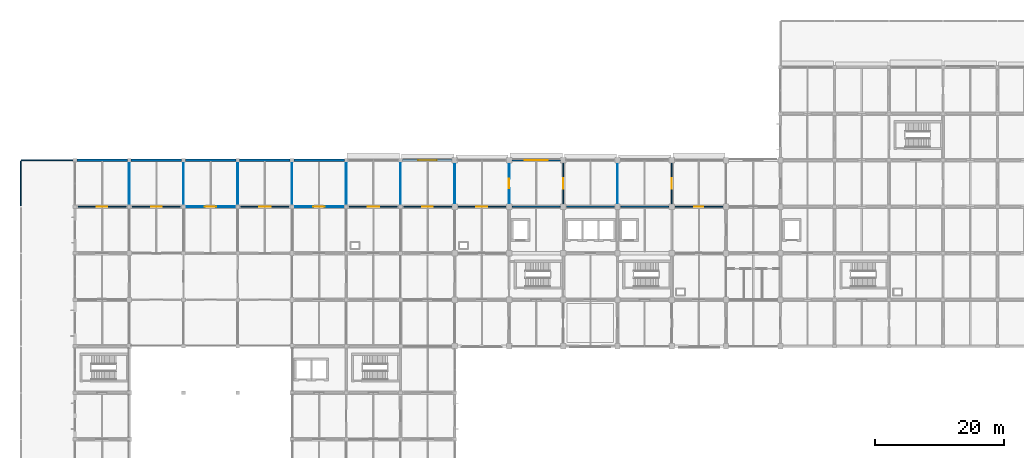
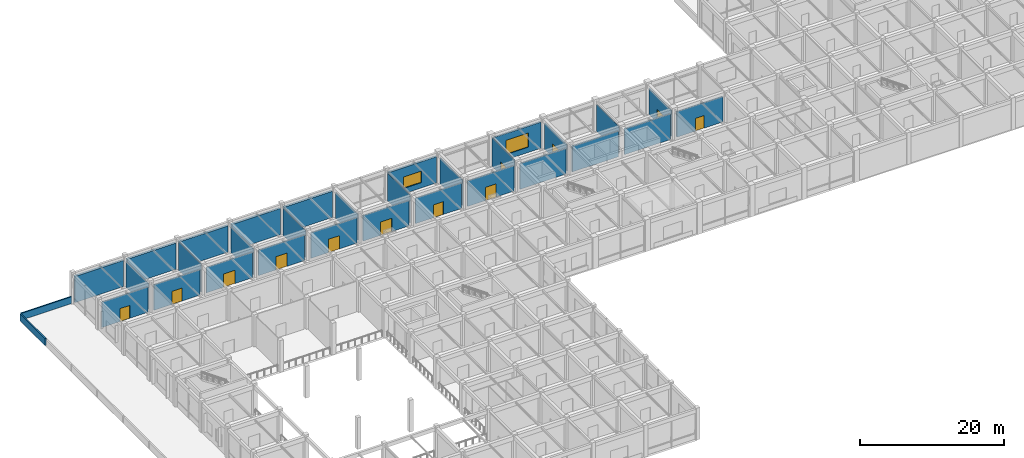
# One storey, part 27 of 38: 32 walls, 12 doors, 2 windows, 14 openings.
"""IFC4 building model written with IfcOpenShell, lengths in metres."""

import ifcopenshell
import ifcopenshell.guid

model = None  # the IFC model being written
_history = None  # IfcOwnerHistory: only IFC2X3 demands one
_inside = {}  # id of a spatial element -> (the spatial element, [elements in it])
_under = {}  # id of a project, library or spatial element -> (it, [spatial elements below it])
_declared = {}  # id of a project -> (the project, [libraries it declares])
_typed = {}  # id of a type object -> (the type object, [elements of that type])
_made_of = {}  # id of a material, layer set ... -> (it, [elements and type objects made of it])


def new_model(schema):
    """Start an empty IFC model of exactly this schema.

    Asked for "IFC4X3", IfcOpenShell would pick the latest addendum, in which some entities
    have other attributes; the version numbers below select the first issue.
    IFC2X3 requires an IfcOwnerHistory on every rooted entity: one is made here for all.
    """
    global model, _history
    if schema == "IFC4X3":
        model = ifcopenshell.file(schema_version=(4, 3, 0, 0))
    else:
        model = ifcopenshell.file(schema=schema)
    _inside.clear()
    _under.clear()
    _declared.clear()
    _typed.clear()
    _made_of.clear()
    _history = None
    if model.schema == "IFC2X3":
        org = make("IfcOrganization", Name="unknown")
        user = make(
            "IfcPersonAndOrganization",
            ThePerson=make("IfcPerson", FamilyName="unknown"),
            TheOrganization=org,
        )
        app = make(
            "IfcApplication",
            ApplicationDeveloper=org,
            Version="unknown",
            ApplicationFullName="unknown",
            ApplicationIdentifier="unknown",
        )
        _history = make(
            "IfcOwnerHistory",
            OwningUser=user,
            OwningApplication=app,
            ChangeAction="ADDED",
            CreationDate=0,
        )
    return model


def make(cls, **values):
    """One entity of the class cls with the attributes given. An attribute that is None is left unset."""
    return model.create_entity(
        cls, **{name: value for name, value in values.items() if value is not None}
    )


def rooted(cls, **values):
    """An entity with a GlobalId (a new one), such as an element, a storey or a relation."""
    return make(cls, GlobalId=ifcopenshell.guid.new(), OwnerHistory=_history, **values)


def si_unit(unit_type, name, prefix=None):
    """IfcSIUnit, for example si_unit("LENGTHUNIT", "METRE", prefix="MILLI")."""
    return make("IfcSIUnit", UnitType=unit_type, Prefix=prefix, Name=name)


def derived_unit(unit_type, elements):
    """IfcDerivedUnit: a product of units, each with its exponent."""
    return make(
        "IfcDerivedUnit",
        Elements=[
            make("IfcDerivedUnitElement", Unit=unit, Exponent=power)
            for unit, power in elements
        ],
        UnitType=unit_type,
    )


def assignment(units):
    """IfcUnitAssignment: the units of a project."""
    return None if units is None else make("IfcUnitAssignment", Units=units)


def point(xyz):
    """IfcCartesianPoint."""
    return None if xyz is None else make("IfcCartesianPoint", Coordinates=xyz)


def direction(xyz):
    """IfcDirection."""
    return None if xyz is None else make("IfcDirection", DirectionRatios=xyz)


def frame(location, z_axis=None, x_axis=None):
    """IfcAxis2Placement3D, a coordinate frame: its origin and axes. An axis left out is left unset."""
    return make(
        "IfcAxis2Placement3D",
        Location=point(location),
        Axis=direction(z_axis),
        RefDirection=direction(x_axis),
    )


def frame_2d(location, x_axis=None):
    """IfcAxis2Placement2D, a coordinate frame in the plane: its origin and x axis."""
    return make(
        "IfcAxis2Placement2D", Location=point(location), RefDirection=direction(x_axis)
    )


def origin():
    """The frame at (0, 0, 0) with its axes left unset."""
    return frame((0.0, 0.0, 0.0))


def place(relative_to, where):
    """IfcLocalPlacement: puts the frame where relative to a parent placement (None: the world)."""
    return make(
        "IfcLocalPlacement", PlacementRelTo=relative_to, RelativePlacement=where
    )


def context(
    kind, dimensions, precision=None, world=None, true_north=None, identifier=None
):
    """IfcGeometricRepresentationContext, for example the 3D "Model" context."""
    return make(
        "IfcGeometricRepresentationContext",
        ContextIdentifier=identifier,
        ContextType=kind,
        CoordinateSpaceDimension=dimensions,
        Precision=precision,
        WorldCoordinateSystem=world,
        TrueNorth=true_north,
    )


def subcontext(parent, identifier, kind, view, scale=None):
    """IfcGeometricRepresentationSubContext, for example "Body" below "Model"."""
    return make(
        "IfcGeometricRepresentationSubContext",
        ContextIdentifier=identifier,
        ContextType=kind,
        ParentContext=parent,
        TargetScale=scale,
        TargetView=view,
    )


def project(units=None, contexts=None):
    """IfcProject with its units and contexts."""
    return rooted(
        "IfcProject",
        Name="project",
        RepresentationContexts=contexts,
        UnitsInContext=assignment(units),
    )


def spatial(cls, under=None, at=None, **own):
    """A site, building, storey or space (cls), placed at a placement, below another one or the project."""
    s = rooted(cls, ObjectPlacement=at, **own)
    if under is not None:
        _under.setdefault(under.id(), (under, []))[1].append(s)
    return s


def profile(cls, at=None, kind="AREA", **sizes):
    """A parametric profile (cls). Its sizes go by their IFC names, for example OverallWidth=200.0."""
    return make(cls, ProfileType=kind, Position=at, **sizes)


def rectangle(**sizes):
    """IfcRectangleProfileDef."""
    return profile("IfcRectangleProfileDef", **sizes)


def extrude(swept, where, along, depth):
    """IfcExtrudedAreaSolid: the profile swept, set in the frame where, extruded along a direction by depth."""
    return make(
        "IfcExtrudedAreaSolid",
        SweptArea=swept,
        Position=where,
        ExtrudedDirection=direction(along),
        Depth=depth,
    )


def shape(context_of_items, identifier, shape_type, items):
    """IfcShapeRepresentation: the items that make up one representation, for example the "Body"."""
    return make(
        "IfcShapeRepresentation",
        ContextOfItems=context_of_items,
        RepresentationIdentifier=identifier,
        RepresentationType=shape_type,
        Items=items,
    )


def material(Name=None, Category=None):
    """IfcMaterial."""
    return make("IfcMaterial", Name=Name, Category=Category)


def layer(
    of_material, thickness, ventilated=None, Name=None, Category=None, Priority=None
):
    """IfcMaterialLayer: one layer of a wall or slab, of a material (None: an air gap)."""
    return make(
        "IfcMaterialLayer",
        Material=of_material,
        LayerThickness=thickness,
        IsVentilated=ventilated,
        Name=Name,
        Category=Category,
        Priority=Priority,
    )


def layer_set(layers, Name=None):
    """IfcMaterialLayerSet."""
    return make("IfcMaterialLayerSet", MaterialLayers=layers, LayerSetName=Name)


def made_of(thing, what):
    """Note that an element or type object is made of a material, layer set ...; save() writes the relation."""
    if what is not None:
        _made_of.setdefault(what.id(), (what, []))[1].append(thing)
    return thing


def type_object(cls, material=None, **own):
    """A type object (cls), such as IfcWallType, which elements share."""
    return made_of(rooted(cls, **own), material)


def element(
    cls,
    number,
    at=None,
    inside=None,
    cuts=None,
    type_object=None,
    material=None,
    context=None,
    identifier="Body",
    shape_type=None,
    held_by="IfcProductDefinitionShape",
    body=None,
    shapes=None,
    **own,
):
    """One element of the class cls, such as IfcWall. Its Tag is "e" and its number.

    at: its placement. inside: the storey or other place that contains it. cuts: it is an
    opening in that element (IfcRelVoidsElement). A single representation is given by context,
    identifier, shape_type and body (its items); several are given by shapes. held_by: the class
    of the entity that holds the representations. save() writes the other relations.
    """
    e = rooted(cls, Tag="e%d" % number, ObjectPlacement=at, **own)
    if body is not None:
        shapes = [shape(context, identifier, shape_type, body)]
    if shapes is not None:
        e.Representation = make(held_by, Representations=shapes)
    if inside is not None:
        _inside.setdefault(inside.id(), (inside, []))[1].append(e)
    if cuts is not None:
        rooted(
            "IfcRelVoidsElement", RelatingBuildingElement=cuts, RelatedOpeningElement=e
        )
    if type_object is not None:
        _typed.setdefault(type_object.id(), (type_object, []))[1].append(e)
    return made_of(e, material)


def fill(opening, filler):
    """IfcRelFillsElement: the door or window that sits in an opening."""
    return rooted(
        "IfcRelFillsElement",
        RelatingOpeningElement=opening,
        RelatedBuildingElement=filler,
    )


def aggregate(whole, parts):
    """IfcRelAggregates: a whole, such as a stair, and the parts it consists of."""
    return rooted("IfcRelAggregates", RelatingObject=whole, RelatedObjects=parts)


def save(model, path):
    """Write the relations noted so far, then the file.

    IfcRelAggregates (storeys below a building ...), IfcRelContainedInSpatialStructure (elements
    in a storey), IfcRelDefinesByType, IfcRelAssociatesMaterial and IfcRelDeclares: one each for
    every whole, place, type object, material and project.
    """
    for whole, parts in _under.values():
        aggregate(whole, parts)
    for where, things in _inside.values():
        rooted(
            "IfcRelContainedInSpatialStructure",
            RelatedElements=things,
            RelatingStructure=where,
        )
    for kind, things in _typed.values():
        rooted("IfcRelDefinesByType", RelatedObjects=things, RelatingType=kind)
    for what, things in _made_of.values():
        rooted("IfcRelAssociatesMaterial", RelatedObjects=things, RelatingMaterial=what)
    for by, libraries in _declared.values():
        rooted("IfcRelDeclares", RelatingContext=by, RelatedDefinitions=libraries)
    model.write(path)


model = new_model("IFC4")

# Units and contexts
model_context = context("Model", 3, precision=1e-05, world=origin(), true_north=direction((0.0, 1.0)))
body_context = subcontext(model_context, "Body", "Model", "MODEL_VIEW")
ifc_project = project(units=[si_unit("LENGTHUNIT", "METRE"), si_unit("AREAUNIT", "SQUARE_METRE"), si_unit("VOLUMEUNIT", "CUBIC_METRE"), si_unit("PLANEANGLEUNIT", "RADIAN"), si_unit("MASSUNIT", "GRAM", prefix="KILO"), derived_unit("THERMALTRANSMITTANCEUNIT", [(si_unit("MASSUNIT", "GRAM", prefix="KILO"), 1), (si_unit("TIMEUNIT", "SECOND"), -3), (si_unit("THERMODYNAMICTEMPERATUREUNIT", "KELVIN"), -1)])], contexts=[model_context])

# Site, building, storey
site_placement = place(None, origin())
site = spatial("IfcSite", under=ifc_project, at=site_placement, CompositionType="ELEMENT")
building_placement = place(site_placement, origin())
building = spatial("IfcBuilding", under=site, at=building_placement, Name="Veldstrom Oceanarium and Marine Research Institute", CompositionType="ELEMENT")
storey_placement = place(building_placement, frame((0.0, 0.0, 11.39990234375)))
storey = spatial("IfcBuildingStorey", under=building, at=storey_placement, Name="L02", CompositionType="ELEMENT", Elevation=11.39990234375)

# Wall, opening, window
ifc_material_1 = material(Name="Masonry Cavity Wall", Category="masonry")
ifc_layer_1 = layer(ifc_material_1, 0.31005859375)
ifc_layer_set_1 = layer_set([ifc_layer_1], Name="ARC-WAL-EW1")
wall_type_1 = type_object("IfcWallType", Name="ARC-WAL-EW1", PredefinedType="SOLIDWALL", material=ifc_layer_set_1)
wall_1_placement = place(storey_placement, frame((59.10009765625, 72.0, 0.0), z_axis=(0.0, 0.0, 1.0), x_axis=(1.0, 0.0, 0.0)))
wall_1 = element("IfcWall", 1, at=wall_1_placement, inside=storey, type_object=wall_type_1, Name="Exterior Facade Wall EW1 L02-131", PredefinedType="SOLIDWALL", context=body_context, shape_type="SweptSolid", body=[
    extrude(rectangle(XDim=7.699951171875, YDim=0.31005859375, at=frame_2d((3.85009765625, 0.0))), origin(), (0.0, 0.0, 1.0), 4.445068359375),
])
opening_1_placement = place(wall_1_placement, frame((2.425048828125, 0.0, 0.89990234375)))
opening_1 = element("IfcOpeningElement", 2, at=opening_1_placement, cuts=wall_1, Name="Opening W19", PredefinedType="OPENING", context=body_context, shape_type="SweptSolid", body=[
    extrude(rectangle(XDim=2.85009765625, YDim=1.949951171875, at=frame_2d((1.425048828125, 0.97509765625))), frame((0.0, 0.1650390625, 0.0), z_axis=(0.0, -1.0, 0.0), x_axis=(1.0, 0.0, 0.0)), (0.0, 0.0, 1.0), 0.330078125),
])
ifc_material_2 = material(Name="Double Glazed Low-E IGU", Category="glass")
window_type_1 = type_object("IfcWindowType", Name="ARC-WIN-W19", PartitioningType="SINGLE_PANEL", PredefinedType="WINDOW", material=ifc_material_2)
window_1_placement = place(opening_1_placement, origin())
window_1 = element("IfcWindow", 3, at=window_1_placement, inside=storey, type_object=window_type_1, Name="Facade Window W19 L02-0095", OverallHeight=1.949951171875, OverallWidth=2.85009765625, PartitioningType="SINGLE_PANEL", PredefinedType="WINDOW", context=body_context, shape_type="SweptSolid", body=[
    extrude(rectangle(XDim=2.85009765625, YDim=1.949951171875, at=frame_2d((1.425048828125, 0.97509765625))), frame((0.0, 0.030029296875, 0.0), z_axis=(0.0, -1.0, 0.0), x_axis=(1.0, 0.0, 0.0)), (0.0, 0.0, 1.0), 0.06005859375),
])
fill(opening_1, window_1)

ifc_material_3 = material(Name="Masonry Cavity Wall", Category="masonry")
ifc_layer_2 = layer(ifc_material_3, 0.27001953125)
ifc_layer_set_2 = layer_set([ifc_layer_2], Name="ARC-WAL-EW3")
wall_type_2 = type_object("IfcWallType", Name="ARC-WAL-EW3", PredefinedType="SOLIDWALL", material=ifc_layer_set_2)
wall_2_placement = place(storey_placement, frame((76.02490234375, 72.0, 0.0), z_axis=(0.0, 0.0, 1.0), x_axis=(1.0, 0.0, 0.0)))
wall_2 = element("IfcWall", 4, at=wall_2_placement, inside=storey, type_object=wall_type_2, Name="Exterior Facade Wall EW3 L02-133", PredefinedType="SOLIDWALL", context=body_context, shape_type="SweptSolid", body=[
    extrude(rectangle(XDim=7.5751953125, YDim=0.27001953125, at=frame_2d((3.78759765625, 0.0))), origin(), (0.0, 0.0, 1.0), 4.445068359375),
])
opening_2_placement = place(wall_2_placement, frame((1.987548828125, 0.0, 0.89990234375)))
opening_2 = element("IfcOpeningElement", 5, at=opening_2_placement, cuts=wall_2, Name="Opening W11", PredefinedType="OPENING", context=body_context, shape_type="SweptSolid", body=[
    extrude(rectangle(XDim=3.60009765625, YDim=2.39990234375, at=frame_2d((1.800048828125, 1.199951171875))), frame((0.0, 0.14501953125, 0.0), z_axis=(0.0, -1.0, 0.0), x_axis=(1.0, 0.0, 0.0)), (0.0, 0.0, 1.0), 0.2900390625),
])
ifc_material_4 = material(Name="Double Glazed Low-E IGU", Category="glass")
window_type_2 = type_object("IfcWindowType", Name="ARC-WIN-W11", PartitioningType="SINGLE_PANEL", PredefinedType="WINDOW", material=ifc_material_4)
window_2_placement = place(opening_2_placement, origin())
window_2 = element("IfcWindow", 6, at=window_2_placement, inside=storey, type_object=window_type_2, Name="Facade Window W11 L02-0098", OverallHeight=2.39990234375, OverallWidth=3.60009765625, PartitioningType="SINGLE_PANEL", PredefinedType="WINDOW", context=body_context, shape_type="SweptSolid", body=[
    extrude(rectangle(XDim=3.60009765625, YDim=2.39990234375, at=frame_2d((1.800048828125, 1.199951171875))), frame((0.0, 0.030029296875, 0.0), z_axis=(0.0, -1.0, 0.0), x_axis=(1.0, 0.0, 0.0)), (0.0, 0.0, 1.0), 0.06005859375),
])
fill(opening_2, window_2)

# Walls
ifc_material_5 = material(Name="Masonry Cavity Wall", Category="masonry")
ifc_layer_3 = layer(ifc_material_5, 0.340087890625)
ifc_layer_set_3 = layer_set([ifc_layer_3], Name="ARC-WAL-EW4")
wall_type_3 = type_object("IfcWallType", Name="ARC-WAL-EW4", PredefinedType="SOLIDWALL", material=ifc_layer_set_3)
wall_3_placement = place(storey_placement, frame((8.699951171875, 72.0, 0.0), z_axis=(0.0, 0.0, 1.0), x_axis=(1.0, 0.0, 0.0)))
element("IfcWall", 7, at=wall_3_placement, inside=storey, type_object=wall_type_3, Name="Exterior Facade Wall EW4 L02-120", PredefinedType="SOLIDWALL", context=body_context, shape_type="SweptSolid", body=[
    extrude(rectangle(XDim=7.800048828125, YDim=0.340087890625, at=frame_2d((3.89990234375, 0.0))), origin(), (0.0, 0.0, 1.0), 4.445068359375),
])
wall_4_placement = place(storey_placement, frame((17.10009765625, 72.0, 0.0), z_axis=(0.0, 0.0, 1.0), x_axis=(1.0, 0.0, 0.0)))
element("IfcWall", 8, at=wall_4_placement, inside=storey, type_object=wall_type_3, Name="Exterior Facade Wall EW4 L02-122", PredefinedType="SOLIDWALL", context=body_context, shape_type="SweptSolid", body=[
    extrude(rectangle(XDim=7.7998046875, YDim=0.340087890625, at=frame_2d((3.89990234375, 0.0))), origin(), (0.0, 0.0, 1.0), 4.445068359375),
])
for number, where, z_axis, x_axis, name in (
    (9, (25.5, 72.0, 0.0), (0.0, 0.0, 1.0), (1.0, 0.0, 0.0), "Exterior Facade Wall EW4 L02-123"),
    (10, (33.89990234375, 72.0, 0.0), (0.0, 0.0, 1.0), (1.0, 0.0, 0.0), "Exterior Facade Wall EW4 L02-125"),
    (11, (42.300048828125, 72.0, 0.0), (0.0, 0.0, 1.0), (1.0, 0.0, 0.0), "Exterior Facade Wall EW4 L02-126"),
):
    element("IfcWall", number, at=place(storey_placement, frame(where, z_axis=z_axis, x_axis=x_axis)), inside=storey, type_object=wall_type_3, Name=name, PredefinedType="SOLIDWALL", context=body_context, shape_type="SweptSolid", body=[
        extrude(rectangle(XDim=7.800048828125, YDim=0.340087890625, at=frame_2d((3.89990234375, 0.0))), origin(), (0.0, 0.0, 1.0), 4.445068359375),
    ])
ifc_material_6 = material(Name="Masonry Cavity Wall", Category="masonry")
ifc_layer_4 = layer(ifc_material_6, 0.219970703125)
ifc_layer_set_4 = layer_set([ifc_layer_4], Name="ARC-WAL-PR1")
wall_type_4 = type_object("IfcWallType", Name="ARC-WAL-PR1", PredefinedType="PARAPET", material=ifc_layer_set_4)
wall_5_placement = place(storey_placement, frame((0.1201171875, 72.0, 0.0), z_axis=(0.0, 0.0, 1.0), x_axis=(1.0, 0.0, 0.0)))
element("IfcWall", 12, at=wall_5_placement, inside=storey, type_object=wall_type_4, Name="Roof Parapet Wall L01-030", PredefinedType="PARAPET", context=body_context, shape_type="SweptSolid", body=[
    extrude(rectangle(XDim=8.159912109375, YDim=0.219970703125, at=frame_2d((4.080078125, 0.0))), origin(), (0.0, 0.0, 1.0), 1.150146484375),
])
wall_6_placement = place(storey_placement, frame((0.0, 64.919921875, 0.0), z_axis=(0.0, 0.0, 1.0), x_axis=(0.0, 1.0, 0.0)))
element("IfcWall", 13, at=wall_6_placement, inside=storey, type_object=wall_type_4, Name="Roof Parapet Wall L01-031", PredefinedType="PARAPET", context=body_context, shape_type="SweptSolid", body=[
    extrude(rectangle(XDim=6.9599609375, YDim=0.219970703125, at=frame_2d((3.47998046875, 0.0))), origin(), (0.0, 0.0, 1.0), 1.150146484375),
])
ifc_material_7 = material(Name="Masonry Fire Compartment Wall", Category="masonry")
ifc_layer_5 = layer(ifc_material_7, 0.22998046875)
ifc_layer_set_5 = layer_set([ifc_layer_5], Name="ARC-WAL-PT1")
wall_type_5 = type_object("IfcWallType", Name="ARC-WAL-PT1", PredefinedType="PARTITIONING", material=ifc_layer_set_5)
for number, where, z_axis, x_axis, name in (
    (14, (76.10009765625, 64.800048828125, 0.0), (0.0, 0.0, 1.0), (1.0, 0.0, 0.0), "Interior Partition PT1 L02-1170"),
    (15, (84.5, 64.800048828125, 0.0), (0.0, 0.0, 1.0), (1.0, 0.0, 0.0), "Interior Partition PT1 L02-1177"),
):
    element("IfcWall", number, at=place(storey_placement, frame(where, z_axis=z_axis, x_axis=x_axis)), inside=storey, type_object=wall_type_5, Name=name, PredefinedType="PARTITIONING", context=body_context, shape_type="SweptSolid", body=[
        extrude(rectangle(XDim=7.39990234375, YDim=0.22998046875, at=frame_2d((3.699951171875, 0.0))), origin(), (0.0, 0.0, 1.0), 4.34521484375),
    ])
wall_7_placement = place(storey_placement, frame((92.89990234375, 64.800048828125, 0.0), z_axis=(0.0, 0.0, 1.0), x_axis=(1.0, 0.0, 0.0)))
element("IfcWall", 16, at=wall_7_placement, inside=storey, type_object=wall_type_5, Name="Interior Partition PT1 L02-1184", PredefinedType="PARTITIONING", context=body_context, shape_type="SweptSolid", body=[
    extrude(rectangle(XDim=7.400146484375, YDim=0.22998046875, at=frame_2d((3.7001953125, 0.0))), origin(), (0.0, 0.0, 1.0), 4.34521484375),
])

# Wall, opening, door
ifc_material_8 = material(Name="Drywall Corridor Partition", Category="gypsum")
ifc_layer_6 = layer(ifc_material_8, 0.155029296875)
ifc_layer_set_6 = layer_set([ifc_layer_6], Name="ARC-WAL-PT4")
wall_type_6 = type_object("IfcWallType", Name="ARC-WAL-PT4", PredefinedType="PARTITIONING", material=ifc_layer_set_6)
wall_8_placement = place(storey_placement, frame((17.300048828125, 64.800048828125, 0.0), z_axis=(0.0, 0.0, 1.0), x_axis=(1.0, 0.0, 0.0)))
wall_8 = element("IfcWall", 17, at=wall_8_placement, inside=storey, type_object=wall_type_6, Name="Interior Partition PT4 L02-1085", PredefinedType="PARTITIONING", context=body_context, shape_type="SweptSolid", body=[
    extrude(rectangle(XDim=7.39990234375, YDim=0.155029296875, at=frame_2d((3.699951171875, 0.0))), origin(), (0.0, 0.0, 1.0), 4.34521484375),
])
opening_3_placement = place(wall_8_placement, frame((2.89990234375, 0.0, 0.0)))
opening_3 = element("IfcOpeningElement", 18, at=opening_3_placement, cuts=wall_8, Name="Opening D-L02-633", PredefinedType="OPENING", context=body_context, shape_type="SweptSolid", body=[
    extrude(rectangle(XDim=1.60009765625, YDim=2.199951171875, at=frame_2d((0.800048828125, 1.10009765625))), frame((0.0, 0.08740234375, 0.0), z_axis=(0.0, -1.0, 0.0), x_axis=(1.0, 0.0, 0.0)), (0.0, 0.0, 1.0), 0.175048828125),
])
ifc_material_9 = material(Name="Acoustic Timber Corridor Door", Category="wood")
door_type_1 = type_object("IfcDoorType", Name="ARC-DOR-ID02", OperationType="DOUBLE_DOOR_SINGLE_SWING", PredefinedType="DOOR", material=ifc_material_9)
door_1_placement = place(opening_3_placement, origin())
door_1 = element("IfcDoor", 19, at=door_1_placement, inside=storey, type_object=door_type_1, Name="Interior Door D-L02-633", OperationType="DOUBLE_DOOR_SINGLE_SWING", OverallHeight=2.199951171875, OverallWidth=1.60009765625, PredefinedType="DOOR", context=body_context, shape_type="SweptSolid", body=[
    extrude(rectangle(XDim=1.60009765625, YDim=2.199951171875, at=frame_2d((0.800048828125, 1.10009765625))), frame((0.0, 0.02490234375, 0.0), z_axis=(0.0, -1.0, 0.0), x_axis=(1.0, 0.0, 0.0)), (0.0, 0.0, 1.0), 0.050048828125),
])
fill(opening_3, door_1)

wall_9_placement = place(storey_placement, frame((34.10009765625, 64.800048828125, 0.0), z_axis=(0.0, 0.0, 1.0), x_axis=(1.0, 0.0, 0.0)))
wall_9 = element("IfcWall", 20, at=wall_9_placement, inside=storey, type_object=wall_type_6, Name="Interior Partition PT4 L02-1105", PredefinedType="PARTITIONING", context=body_context, shape_type="SweptSolid", body=[
    extrude(rectangle(XDim=7.39990234375, YDim=0.155029296875, at=frame_2d((3.699951171875, 0.0))), origin(), (0.0, 0.0, 1.0), 4.34521484375),
])
opening_4_placement = place(wall_9_placement, frame((2.800048828125, 0.0, 0.0)))
opening_4 = element("IfcOpeningElement", 21, at=opening_4_placement, cuts=wall_9, Name="Opening D-L02-644", PredefinedType="OPENING", context=body_context, shape_type="SweptSolid", body=[
    extrude(rectangle(XDim=1.800048828125, YDim=2.25, at=frame_2d((0.89990234375, 1.125))), frame((0.0, 0.08740234375, 0.0), z_axis=(0.0, -1.0, 0.0), x_axis=(1.0, 0.0, 0.0)), (0.0, 0.0, 1.0), 0.175048828125),
])
ifc_material_10 = material(Name="Acoustic Timber Gallery Door", Category="wood")
door_type_2 = type_object("IfcDoorType", Name="ARC-DOR-ID01", OperationType="DOUBLE_DOOR_SINGLE_SWING", PredefinedType="DOOR", material=ifc_material_10)
door_2_placement = place(opening_4_placement, origin())
door_2 = element("IfcDoor", 22, at=door_2_placement, inside=storey, type_object=door_type_2, Name="Interior Door D-L02-644", OperationType="DOUBLE_DOOR_SINGLE_SWING", OverallHeight=2.25, OverallWidth=1.800048828125, PredefinedType="DOOR", context=body_context, shape_type="SweptSolid", body=[
    extrude(rectangle(XDim=1.800048828125, YDim=2.25, at=frame_2d((0.89990234375, 1.125))), frame((0.0, 0.02490234375, 0.0), z_axis=(0.0, -1.0, 0.0), x_axis=(1.0, 0.0, 0.0)), (0.0, 0.0, 1.0), 0.050048828125),
])
fill(opening_4, door_2)

wall_10_placement = place(storey_placement, frame((50.89990234375, 64.800048828125, 0.0), z_axis=(0.0, 0.0, 1.0), x_axis=(1.0, 0.0, 0.0)))
wall_10 = element("IfcWall", 23, at=wall_10_placement, inside=storey, type_object=wall_type_6, Name="Interior Partition PT4 L02-1143", PredefinedType="PARTITIONING", context=body_context, shape_type="SweptSolid", body=[
    extrude(rectangle(XDim=7.400146484375, YDim=0.155029296875, at=frame_2d((3.7001953125, 0.0))), origin(), (0.0, 0.0, 1.0), 4.34521484375),
])
opening_5_placement = place(wall_10_placement, frame((2.800048828125, 0.0, 0.0)))
opening_5 = element("IfcOpeningElement", 24, at=opening_5_placement, cuts=wall_10, Name="Opening D-L02-664", PredefinedType="OPENING", context=body_context, shape_type="SweptSolid", body=[
    extrude(rectangle(XDim=1.800048828125, YDim=2.25, at=frame_2d((0.89990234375, 1.125))), frame((0.0, 0.08740234375, 0.0), z_axis=(0.0, -1.0, 0.0), x_axis=(1.0, 0.0, 0.0)), (0.0, 0.0, 1.0), 0.175048828125),
])
door_3_placement = place(opening_5_placement, origin())
door_3 = element("IfcDoor", 25, at=door_3_placement, inside=storey, type_object=door_type_2, Name="Interior Door D-L02-664", OperationType="DOUBLE_DOOR_SINGLE_SWING", OverallHeight=2.25, OverallWidth=1.800048828125, PredefinedType="DOOR", context=body_context, shape_type="SweptSolid", body=[
    extrude(rectangle(XDim=1.800048828125, YDim=2.25, at=frame_2d((0.89990234375, 1.125))), frame((0.0, 0.02490234375, 0.0), z_axis=(0.0, -1.0, 0.0), x_axis=(1.0, 0.0, 0.0)), (0.0, 0.0, 1.0), 0.050048828125),
])
fill(opening_5, door_3)

wall_11_placement = place(storey_placement, frame((67.699951171875, 64.800048828125, 0.0), z_axis=(0.0, 0.0, 1.0), x_axis=(1.0, 0.0, 0.0)))
wall_11 = element("IfcWall", 26, at=wall_11_placement, inside=storey, type_object=wall_type_6, Name="Interior Partition PT4 L02-1163", PredefinedType="PARTITIONING", context=body_context, shape_type="SweptSolid", body=[
    extrude(rectangle(XDim=7.400146484375, YDim=0.155029296875, at=frame_2d((3.7001953125, 0.0))), origin(), (0.0, 0.0, 1.0), 4.34521484375),
])
opening_6_placement = place(wall_11_placement, frame((2.85009765625, 0.0, 0.0)))
opening_6 = element("IfcOpeningElement", 27, at=opening_6_placement, cuts=wall_11, Name="Opening D-L02-678", PredefinedType="OPENING", context=body_context, shape_type="SweptSolid", body=[
    extrude(rectangle(XDim=1.699951171875, YDim=2.25, at=frame_2d((0.85009765625, 1.125))), frame((0.0, 0.08740234375, 0.0), z_axis=(0.0, -1.0, 0.0), x_axis=(1.0, 0.0, 0.0)), (0.0, 0.0, 1.0), 0.175048828125),
])
ifc_material_11 = material(Name="Symposium Auditorium Door", Category="timber")
door_type_3 = type_object("IfcDoorType", Name="ARC-DOR-ID13", OperationType="DOUBLE_DOOR_SINGLE_SWING", PredefinedType="DOOR", material=ifc_material_11)
door_4_placement = place(opening_6_placement, origin())
door_4 = element("IfcDoor", 28, at=door_4_placement, inside=storey, type_object=door_type_3, Name="Interior Door D-L02-678", OperationType="DOUBLE_DOOR_SINGLE_SWING", OverallHeight=2.25, OverallWidth=1.699951171875, PredefinedType="DOOR", context=body_context, shape_type="SweptSolid", body=[
    extrude(rectangle(XDim=1.699951171875, YDim=2.25, at=frame_2d((0.85009765625, 1.125))), frame((0.0, 0.02490234375, 0.0), z_axis=(0.0, -1.0, 0.0), x_axis=(1.0, 0.0, 0.0)), (0.0, 0.0, 1.0), 0.050048828125),
])
fill(opening_6, door_4)

wall_12_placement = place(storey_placement, frame((84.0, 65.300048828125, 0.0), z_axis=(0.0, 0.0, 1.0), x_axis=(0.0, 1.0, 0.0)))
wall_12 = element("IfcWall", 29, at=wall_12_placement, inside=storey, type_object=wall_type_6, Name="Interior Partition PT4 L02-1171", PredefinedType="PARTITIONING", context=body_context, shape_type="SweptSolid", body=[
    extrude(rectangle(XDim=6.199951171875, YDim=0.155029296875, at=frame_2d((3.10009765625, 0.0))), origin(), (0.0, 0.0, 1.0), 4.39501953125),
])
opening_7_placement = place(wall_12_placement, frame((2.25, 0.0, 0.0)))
opening_7 = element("IfcOpeningElement", 30, at=opening_7_placement, cuts=wall_12, Name="Opening D-L02-684", PredefinedType="OPENING", context=body_context, shape_type="SweptSolid", body=[
    extrude(rectangle(XDim=1.699951171875, YDim=2.25, at=frame_2d((0.85009765625, 1.125))), frame((0.0, 0.08740234375, 0.0), z_axis=(0.0, -1.0, 0.0), x_axis=(1.0, 0.0, 0.0)), (0.0, 0.0, 1.0), 0.175048828125),
])
door_5_placement = place(opening_7_placement, frame((1.699951171875, 0.0, 0.0), z_axis=(0.0, 0.0, 1.0), x_axis=(-1.0, 0.0, 0.0)))
door_5 = element("IfcDoor", 31, at=door_5_placement, inside=storey, type_object=door_type_3, Name="Interior Door D-L02-684", OperationType="DOUBLE_DOOR_SINGLE_SWING", OverallHeight=2.25, OverallWidth=1.699951171875, PredefinedType="DOOR", context=body_context, shape_type="SweptSolid", body=[
    extrude(rectangle(XDim=1.699951171875, YDim=2.25, at=frame_2d((0.85009765625, 1.125))), frame((0.0, 0.02490234375, 0.0), z_axis=(0.0, -1.0, 0.0), x_axis=(1.0, 0.0, 0.0)), (0.0, 0.0, 1.0), 0.050048828125),
])
fill(opening_7, door_5)

wall_13_placement = place(storey_placement, frame((100.800048828125, 65.300048828125, 0.0), z_axis=(0.0, 0.0, 1.0), x_axis=(0.0, 1.0, 0.0)))
wall_13 = element("IfcWall", 32, at=wall_13_placement, inside=storey, type_object=wall_type_6, Name="Interior Partition PT4 L02-1185", PredefinedType="PARTITIONING", context=body_context, shape_type="SweptSolid", body=[
    extrude(rectangle(XDim=6.199951171875, YDim=0.155029296875, at=frame_2d((3.10009765625, 0.0))), origin(), (0.0, 0.0, 1.0), 4.39501953125),
])
opening_8_placement = place(wall_13_placement, frame((2.25, 0.0, 0.0)))
opening_8 = element("IfcOpeningElement", 33, at=opening_8_placement, cuts=wall_13, Name="Opening D-L02-692", PredefinedType="OPENING", context=body_context, shape_type="SweptSolid", body=[
    extrude(rectangle(XDim=1.699951171875, YDim=2.25, at=frame_2d((0.85009765625, 1.125))), frame((0.0, 0.08740234375, 0.0), z_axis=(0.0, -1.0, 0.0), x_axis=(1.0, 0.0, 0.0)), (0.0, 0.0, 1.0), 0.175048828125),
])
door_6_placement = place(opening_8_placement, frame((1.699951171875, 0.0, 0.0), z_axis=(0.0, 0.0, 1.0), x_axis=(-1.0, 0.0, 0.0)))
door_6 = element("IfcDoor", 34, at=door_6_placement, inside=storey, type_object=door_type_3, Name="Interior Door D-L02-692", OperationType="DOUBLE_DOOR_SINGLE_SWING", OverallHeight=2.25, OverallWidth=1.699951171875, PredefinedType="DOOR", context=body_context, shape_type="SweptSolid", body=[
    extrude(rectangle(XDim=1.699951171875, YDim=2.25, at=frame_2d((0.85009765625, 1.125))), frame((0.0, 0.02490234375, 0.0), z_axis=(0.0, -1.0, 0.0), x_axis=(1.0, 0.0, 0.0)), (0.0, 0.0, 1.0), 0.050048828125),
])
fill(opening_8, door_6)

wall_14_placement = place(storey_placement, frame((101.300048828125, 64.800048828125, 0.0), z_axis=(0.0, 0.0, 1.0), x_axis=(1.0, 0.0, 0.0)))
wall_14 = element("IfcWall", 35, at=wall_14_placement, inside=storey, type_object=wall_type_6, Name="Interior Partition PT4 L02-1191", PredefinedType="PARTITIONING", context=body_context, shape_type="SweptSolid", body=[
    extrude(rectangle(XDim=7.39990234375, YDim=0.155029296875, at=frame_2d((3.699951171875, 0.0))), origin(), (0.0, 0.0, 1.0), 4.34521484375),
])
opening_9_placement = place(wall_14_placement, frame((3.0, 0.0, 0.0)))
opening_9 = element("IfcOpeningElement", 36, at=opening_9_placement, cuts=wall_14, Name="Opening D-L02-697", PredefinedType="OPENING", context=body_context, shape_type="SweptSolid", body=[
    extrude(rectangle(XDim=1.39990234375, YDim=2.14990234375, at=frame_2d((0.699951171875, 1.074951171875))), frame((0.0, 0.08740234375, 0.0), z_axis=(0.0, -1.0, 0.0), x_axis=(1.0, 0.0, 0.0)), (0.0, 0.0, 1.0), 0.175048828125),
])
ifc_material_12 = material(Name="Education Classroom Door", Category="timber")
door_type_4 = type_object("IfcDoorType", Name="ARC-DOR-ID04", OperationType="DOUBLE_DOOR_SINGLE_SWING", PredefinedType="DOOR", material=ifc_material_12)
door_7_placement = place(opening_9_placement, origin())
door_7 = element("IfcDoor", 37, at=door_7_placement, inside=storey, type_object=door_type_4, Name="Interior Door D-L02-697", OperationType="DOUBLE_DOOR_SINGLE_SWING", OverallHeight=2.14990234375, OverallWidth=1.39990234375, PredefinedType="DOOR", context=body_context, shape_type="SweptSolid", body=[
    extrude(rectangle(XDim=1.39990234375, YDim=2.14990234375, at=frame_2d((0.699951171875, 1.074951171875))), frame((0.0, 0.02490234375, 0.0), z_axis=(0.0, -1.0, 0.0), x_axis=(1.0, 0.0, 0.0)), (0.0, 0.0, 1.0), 0.050048828125),
])
fill(opening_9, door_7)

ifc_material_13 = material(Name="Moisture-Resistant Wet-Area Partition", Category="masonry")
ifc_layer_7 = layer(ifc_material_13, 0.139892578125)
ifc_layer_set_7 = layer_set([ifc_layer_7], Name="ARC-WAL-PT5")
wall_type_7 = type_object("IfcWallType", Name="ARC-WAL-PT5", PredefinedType="PARTITIONING", material=ifc_layer_set_7)
wall_15_placement = place(storey_placement, frame((8.89990234375, 64.800048828125, 0.0), z_axis=(0.0, 0.0, 1.0), x_axis=(1.0, 0.0, 0.0)))
wall_15 = element("IfcWall", 38, at=wall_15_placement, inside=storey, type_object=wall_type_7, Name="Interior Partition PT5 L02-1075", PredefinedType="PARTITIONING", context=body_context, shape_type="SweptSolid", body=[
    extrude(rectangle(XDim=7.400146484375, YDim=0.139892578125, at=frame_2d((3.7001953125, 0.0))), origin(), (0.0, 0.0, 1.0), 4.34521484375),
])
opening_10_placement = place(wall_15_placement, frame((2.89990234375, 0.0, 0.0)))
opening_10 = element("IfcOpeningElement", 39, at=opening_10_placement, cuts=wall_15, Name="Opening D-L02-627", PredefinedType="OPENING", context=body_context, shape_type="SweptSolid", body=[
    extrude(rectangle(XDim=1.60009765625, YDim=2.199951171875, at=frame_2d((0.800048828125, 1.10009765625))), frame((0.0, 0.079833984375, 0.0), z_axis=(0.0, -1.0, 0.0), x_axis=(1.0, 0.0, 0.0)), (0.0, 0.0, 1.0), 0.159912109375),
])
door_8_placement = place(opening_10_placement, frame((1.60009765625, 0.0, 0.0), z_axis=(0.0, 0.0, 1.0), x_axis=(-1.0, 0.0, 0.0)))
door_8 = element("IfcDoor", 40, at=door_8_placement, inside=storey, type_object=door_type_1, Name="Interior Door D-L02-627", OperationType="DOUBLE_DOOR_SINGLE_SWING", OverallHeight=2.199951171875, OverallWidth=1.60009765625, PredefinedType="DOOR", context=body_context, shape_type="SweptSolid", body=[
    extrude(rectangle(XDim=1.60009765625, YDim=2.199951171875, at=frame_2d((0.800048828125, 1.10009765625))), frame((0.0, 0.02490234375, 0.0), z_axis=(0.0, -1.0, 0.0), x_axis=(1.0, 0.0, 0.0)), (0.0, 0.0, 1.0), 0.050048828125),
])
fill(opening_10, door_8)

wall_16_placement = place(storey_placement, frame((25.699951171875, 64.800048828125, 0.0), z_axis=(0.0, 0.0, 1.0), x_axis=(1.0, 0.0, 0.0)))
wall_16 = element("IfcWall", 41, at=wall_16_placement, inside=storey, type_object=wall_type_7, Name="Interior Partition PT5 L02-1095", PredefinedType="PARTITIONING", context=body_context, shape_type="SweptSolid", body=[
    extrude(rectangle(XDim=7.400146484375, YDim=0.139892578125, at=frame_2d((3.7001953125, 0.0))), origin(), (0.0, 0.0, 1.0), 4.34521484375),
])
opening_11_placement = place(wall_16_placement, frame((2.800048828125, 0.0, 0.0)))
opening_11 = element("IfcOpeningElement", 42, at=opening_11_placement, cuts=wall_16, Name="Opening D-L02-638", PredefinedType="OPENING", context=body_context, shape_type="SweptSolid", body=[
    extrude(rectangle(XDim=1.800048828125, YDim=2.25, at=frame_2d((0.89990234375, 1.125))), frame((0.0, 0.079833984375, 0.0), z_axis=(0.0, -1.0, 0.0), x_axis=(1.0, 0.0, 0.0)), (0.0, 0.0, 1.0), 0.159912109375),
])
door_9_placement = place(opening_11_placement, frame((1.800048828125, 0.0, 0.0), z_axis=(0.0, 0.0, 1.0), x_axis=(-1.0, 0.0, 0.0)))
door_9 = element("IfcDoor", 43, at=door_9_placement, inside=storey, type_object=door_type_2, Name="Interior Door D-L02-638", OperationType="DOUBLE_DOOR_SINGLE_SWING", OverallHeight=2.25, OverallWidth=1.800048828125, PredefinedType="DOOR", context=body_context, shape_type="SweptSolid", body=[
    extrude(rectangle(XDim=1.800048828125, YDim=2.25, at=frame_2d((0.89990234375, 1.125))), frame((0.0, 0.02490234375, 0.0), z_axis=(0.0, -1.0, 0.0), x_axis=(1.0, 0.0, 0.0)), (0.0, 0.0, 1.0), 0.050048828125),
])
fill(opening_11, door_9)

wall_17_placement = place(storey_placement, frame((42.5, 64.800048828125, 0.0), z_axis=(0.0, 0.0, 1.0), x_axis=(1.0, 0.0, 0.0)))
wall_17 = element("IfcWall", 44, at=wall_17_placement, inside=storey, type_object=wall_type_7, Name="Interior Partition PT5 L02-1124", PredefinedType="PARTITIONING", context=body_context, shape_type="SweptSolid", body=[
    extrude(rectangle(XDim=7.39990234375, YDim=0.139892578125, at=frame_2d((3.699951171875, 0.0))), origin(), (0.0, 0.0, 1.0), 4.34521484375),
])
opening_12_placement = place(wall_17_placement, frame((2.800048828125, 0.0, 0.0)))
opening_12 = element("IfcOpeningElement", 45, at=opening_12_placement, cuts=wall_17, Name="Opening D-L02-654", PredefinedType="OPENING", context=body_context, shape_type="SweptSolid", body=[
    extrude(rectangle(XDim=1.800048828125, YDim=2.25, at=frame_2d((0.89990234375, 1.125))), frame((0.0, 0.079833984375, 0.0), z_axis=(0.0, -1.0, 0.0), x_axis=(1.0, 0.0, 0.0)), (0.0, 0.0, 1.0), 0.159912109375),
])
door_10_placement = place(opening_12_placement, frame((1.800048828125, 0.0, 0.0), z_axis=(0.0, 0.0, 1.0), x_axis=(-1.0, 0.0, 0.0)))
door_10 = element("IfcDoor", 46, at=door_10_placement, inside=storey, type_object=door_type_2, Name="Interior Door D-L02-654", OperationType="DOUBLE_DOOR_SINGLE_SWING", OverallHeight=2.25, OverallWidth=1.800048828125, PredefinedType="DOOR", context=body_context, shape_type="SweptSolid", body=[
    extrude(rectangle(XDim=1.800048828125, YDim=2.25, at=frame_2d((0.89990234375, 1.125))), frame((0.0, 0.02490234375, 0.0), z_axis=(0.0, -1.0, 0.0), x_axis=(1.0, 0.0, 0.0)), (0.0, 0.0, 1.0), 0.050048828125),
])
fill(opening_12, door_10)

wall_18_placement = place(storey_placement, frame((59.300048828125, 64.800048828125, 0.0), z_axis=(0.0, 0.0, 1.0), x_axis=(1.0, 0.0, 0.0)))
wall_18 = element("IfcWall", 47, at=wall_18_placement, inside=storey, type_object=wall_type_7, Name="Interior Partition PT5 L02-1156", PredefinedType="PARTITIONING", context=body_context, shape_type="SweptSolid", body=[
    extrude(rectangle(XDim=7.39990234375, YDim=0.139892578125, at=frame_2d((3.699951171875, 0.0))), origin(), (0.0, 0.0, 1.0), 4.34521484375),
])
opening_13_placement = place(wall_18_placement, frame((2.89990234375, 0.0, 0.0)))
opening_13 = element("IfcOpeningElement", 48, at=opening_13_placement, cuts=wall_18, Name="Opening D-L02-673", PredefinedType="OPENING", context=body_context, shape_type="SweptSolid", body=[
    extrude(rectangle(XDim=1.60009765625, YDim=2.199951171875, at=frame_2d((0.800048828125, 1.10009765625))), frame((0.0, 0.079833984375, 0.0), z_axis=(0.0, -1.0, 0.0), x_axis=(1.0, 0.0, 0.0)), (0.0, 0.0, 1.0), 0.159912109375),
])
door_11_placement = place(opening_13_placement, frame((1.60009765625, 0.0, 0.0), z_axis=(0.0, 0.0, 1.0), x_axis=(-1.0, 0.0, 0.0)))
door_11 = element("IfcDoor", 49, at=door_11_placement, inside=storey, type_object=door_type_1, Name="Interior Door D-L02-673", OperationType="DOUBLE_DOOR_SINGLE_SWING", OverallHeight=2.199951171875, OverallWidth=1.60009765625, PredefinedType="DOOR", context=body_context, shape_type="SweptSolid", body=[
    extrude(rectangle(XDim=1.60009765625, YDim=2.199951171875, at=frame_2d((0.800048828125, 1.10009765625))), frame((0.0, 0.02490234375, 0.0), z_axis=(0.0, -1.0, 0.0), x_axis=(1.0, 0.0, 0.0)), (0.0, 0.0, 1.0), 0.050048828125),
])
fill(opening_13, door_11)

wall_19_placement = place(storey_placement, frame((75.60009765625, 65.300048828125, 0.0), z_axis=(0.0, 0.0, 1.0), x_axis=(0.0, 1.0, 0.0)))
wall_19 = element("IfcWall", 50, at=wall_19_placement, inside=storey, type_object=wall_type_7, Name="Interior Partition PT5 L02-1164", PredefinedType="PARTITIONING", context=body_context, shape_type="SweptSolid", body=[
    extrude(rectangle(XDim=6.199951171875, YDim=0.139892578125, at=frame_2d((3.10009765625, 0.0))), origin(), (0.0, 0.0, 1.0), 4.80517578125),
])
opening_14_placement = place(wall_19_placement, frame((2.39990234375, 0.0, 0.0)))
opening_14 = element("IfcOpeningElement", 51, at=opening_14_placement, cuts=wall_19, Name="Opening D-L02-679", PredefinedType="OPENING", context=body_context, shape_type="SweptSolid", body=[
    extrude(rectangle(XDim=1.39990234375, YDim=2.14990234375, at=frame_2d((0.699951171875, 1.074951171875))), frame((0.0, 0.079833984375, 0.0), z_axis=(0.0, -1.0, 0.0), x_axis=(1.0, 0.0, 0.0)), (0.0, 0.0, 1.0), 0.159912109375),
])
door_12_placement = place(opening_14_placement, origin())
door_12 = element("IfcDoor", 52, at=door_12_placement, inside=storey, type_object=door_type_4, Name="Interior Door D-L02-679", OperationType="DOUBLE_DOOR_SINGLE_SWING", OverallHeight=2.14990234375, OverallWidth=1.39990234375, PredefinedType="DOOR", context=body_context, shape_type="SweptSolid", body=[
    extrude(rectangle(XDim=1.39990234375, YDim=2.14990234375, at=frame_2d((0.699951171875, 1.074951171875))), frame((0.0, 0.02490234375, 0.0), z_axis=(0.0, -1.0, 0.0), x_axis=(1.0, 0.0, 0.0)), (0.0, 0.0, 1.0), 0.050048828125),
])
fill(opening_14, door_12)

# Walls
ifc_material_14 = material(Name="Lightweight Studio Partition", Category="gypsum")
ifc_layer_8 = layer(ifc_material_14, 0.1201171875)
ifc_layer_set_8 = layer_set([ifc_layer_8], Name="ARC-WAL-PT6")
wall_type_8 = type_object("IfcWallType", Name="ARC-WAL-PT6", PredefinedType="PARTITIONING", material=ifc_layer_set_8)
wall_20_placement = place(storey_placement, frame((16.800048828125, 65.300048828125, 0.0), z_axis=(0.0, 0.0, 1.0), x_axis=(0.0, 1.0, 0.0)))
element("IfcWall", 53, at=wall_20_placement, inside=storey, type_object=wall_type_8, Name="Interior Partition PT6 L02-1076", PredefinedType="PARTITIONING", context=body_context, shape_type="SweptSolid", body=[
    extrude(rectangle(XDim=6.199951171875, YDim=0.1201171875, at=frame_2d((3.10009765625, 0.0))), origin(), (0.0, 0.0, 1.0), 4.39501953125),
])
wall_21_placement = place(storey_placement, frame((25.199951171875, 65.300048828125, 0.0), z_axis=(0.0, 0.0, 1.0), x_axis=(0.0, 1.0, 0.0)))
element("IfcWall", 54, at=wall_21_placement, inside=storey, type_object=wall_type_8, Name="Interior Partition PT6 L02-1086", PredefinedType="PARTITIONING", context=body_context, shape_type="SweptSolid", body=[
    extrude(rectangle(XDim=6.199951171875, YDim=0.1201171875, at=frame_2d((3.10009765625, 0.0))), origin(), (0.0, 0.0, 1.0), 4.80517578125),
])
wall_22_placement = place(storey_placement, frame((33.60009765625, 65.300048828125, 0.0), z_axis=(0.0, 0.0, 1.0), x_axis=(0.0, 1.0, 0.0)))
element("IfcWall", 55, at=wall_22_placement, inside=storey, type_object=wall_type_8, Name="Interior Partition PT6 L02-1096", PredefinedType="PARTITIONING", context=body_context, shape_type="SweptSolid", body=[
    extrude(rectangle(XDim=6.199951171875, YDim=0.1201171875, at=frame_2d((3.10009765625, 0.0))), origin(), (0.0, 0.0, 1.0), 4.39501953125),
])
wall_23_placement = place(storey_placement, frame((42.0, 65.300048828125, 0.0), z_axis=(0.0, 0.0, 1.0), x_axis=(0.0, 1.0, 0.0)))
element("IfcWall", 56, at=wall_23_placement, inside=storey, type_object=wall_type_8, Name="Interior Partition PT6 L02-1106", PredefinedType="PARTITIONING", context=body_context, shape_type="SweptSolid", body=[
    extrude(rectangle(XDim=6.199951171875, YDim=0.1201171875, at=frame_2d((3.10009765625, 0.0))), origin(), (0.0, 0.0, 1.0), 4.59521484375),
])
wall_24_placement = place(storey_placement, frame((50.39990234375, 65.300048828125, 0.0), z_axis=(0.0, 0.0, 1.0), x_axis=(0.0, 1.0, 0.0)))
element("IfcWall", 57, at=wall_24_placement, inside=storey, type_object=wall_type_8, Name="Interior Partition PT6 L02-1125", PredefinedType="PARTITIONING", context=body_context, shape_type="SweptSolid", body=[
    extrude(rectangle(XDim=6.199951171875, YDim=0.1201171875, at=frame_2d((3.10009765625, 0.0))), origin(), (0.0, 0.0, 1.0), 4.39501953125),
])
wall_25_placement = place(storey_placement, frame((58.800048828125, 65.300048828125, 0.0), z_axis=(0.0, 0.0, 1.0), x_axis=(0.0, 1.0, 0.0)))
element("IfcWall", 58, at=wall_25_placement, inside=storey, type_object=wall_type_8, Name="Interior Partition PT6 L02-1144", PredefinedType="PARTITIONING", context=body_context, shape_type="SweptSolid", body=[
    extrude(rectangle(XDim=6.199951171875, YDim=0.1201171875, at=frame_2d((3.10009765625, 0.0))), origin(), (0.0, 0.0, 1.0), 4.695068359375),
])
wall_26_placement = place(storey_placement, frame((67.199951171875, 65.300048828125, 0.0), z_axis=(0.0, 0.0, 1.0), x_axis=(0.0, 1.0, 0.0)))
element("IfcWall", 59, at=wall_26_placement, inside=storey, type_object=wall_type_8, Name="Interior Partition PT6 L02-1157", PredefinedType="PARTITIONING", context=body_context, shape_type="SweptSolid", body=[
    extrude(rectangle(XDim=6.199951171875, YDim=0.1201171875, at=frame_2d((3.10009765625, 0.0))), origin(), (0.0, 0.0, 1.0), 4.39501953125),
])
wall_27_placement = place(storey_placement, frame((92.39990234375, 65.300048828125, 0.0), z_axis=(0.0, 0.0, 1.0), x_axis=(0.0, 1.0, 0.0)))
element("IfcWall", 60, at=wall_27_placement, inside=storey, type_object=wall_type_8, Name="Interior Partition PT6 L02-1178", PredefinedType="PARTITIONING", context=body_context, shape_type="SweptSolid", body=[
    extrude(rectangle(XDim=6.199951171875, YDim=0.1201171875, at=frame_2d((3.10009765625, 0.0))), origin(), (0.0, 0.0, 1.0), 4.59521484375),
])

save(model, "model.ifc")
